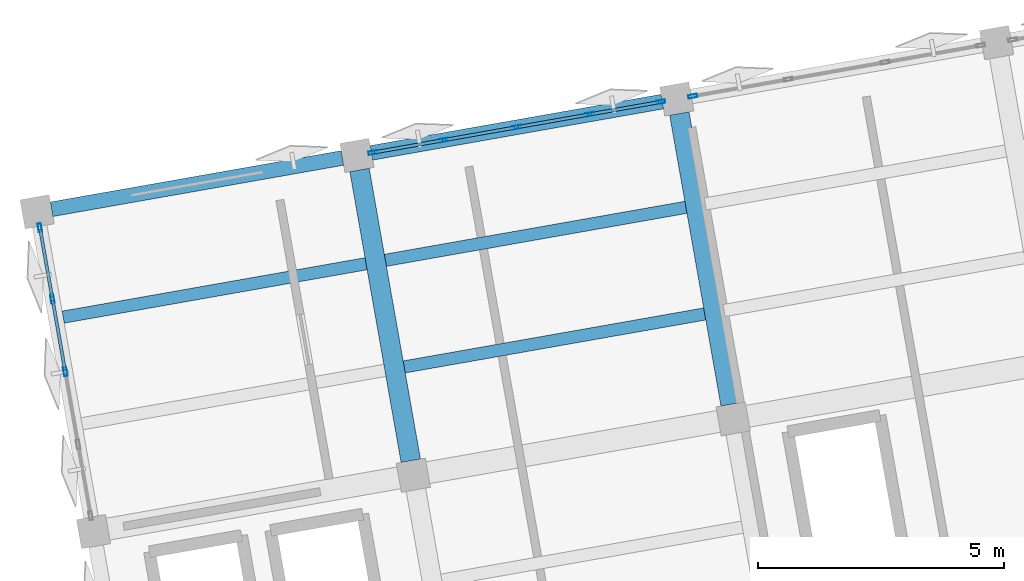
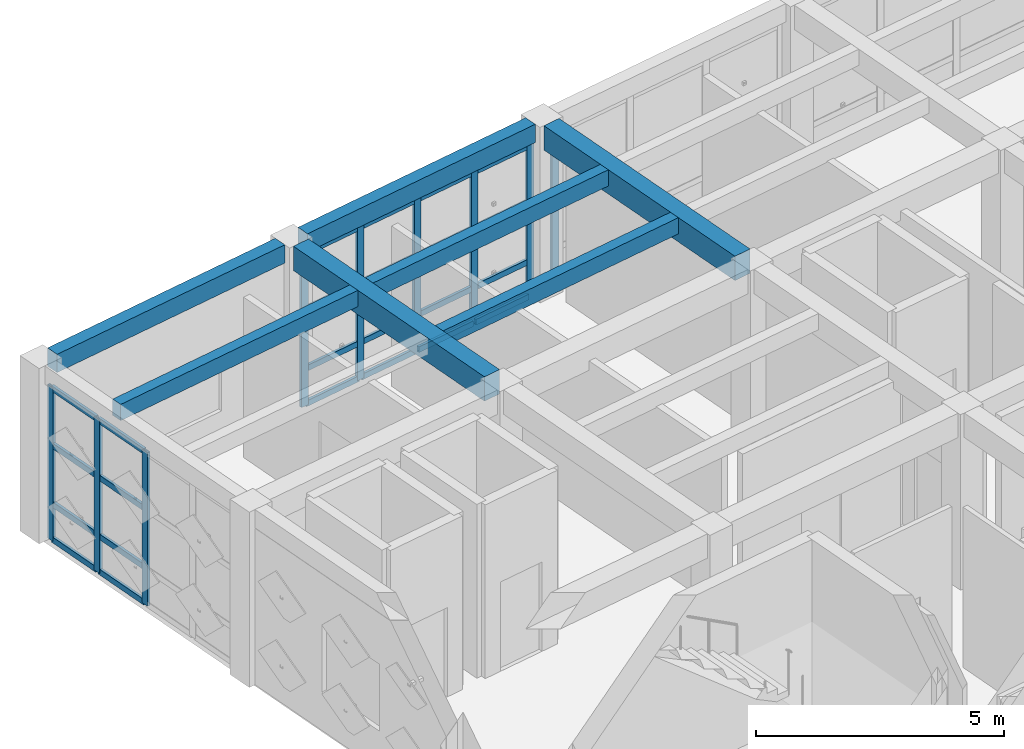
# One storey, part 6 of 36: 33 members, 7 beams, 3 elements without a shape of their own.
"""IFC4 building model written with IfcOpenShell, lengths in metres."""

from ifc_helpers import new_model, si_unit, direction, frame, origin, origin_2d, place, context, subcontext, project, spatial, rectangle, hollow_rectangle, extrude, material, layer, layer_set, material_profile, profile_set, type_object, element, aggregate, save


model = new_model("IFC4")

# Units and contexts
model_context = context("Model", 3, precision=1e-05, world=origin(), true_north=direction((0.0, 1.0)))
body_context = subcontext(model_context, "Body", "Model", "MODEL_VIEW")
ifc_project = project(units=[si_unit("LENGTHUNIT", "METRE"), si_unit("AREAUNIT", "SQUARE_METRE"), si_unit("VOLUMEUNIT", "CUBIC_METRE"), si_unit("PLANEANGLEUNIT", "RADIAN"), si_unit("MASSUNIT", "GRAM", prefix="KILO")], contexts=[model_context])

# Site, building, storey
site_placement = place(None, origin())
site = spatial("IfcSite", under=ifc_project, at=site_placement, CompositionType="ELEMENT")
building_placement = place(site_placement, origin())
building = spatial("IfcBuilding", under=site, at=building_placement, Name="Kharisveld Research Institute", CompositionType="ELEMENT")
storey_placement = place(building_placement, frame((0.0, 0.0, 27.60009765625)))
storey = spatial("IfcBuildingStorey", under=building, at=storey_placement, Name="L06", CompositionType="ELEMENT", Elevation=27.60009765625)

# Beams
ifc_material_1 = material(Name="Concrete C40/50", Category="concrete")
ifc_material_profile_1 = material_profile(ifc_material_1, rectangle(XDim=0.39990234375, YDim=0.60009765625, at=origin_2d()))
ifc_profile_set_1 = profile_set([ifc_material_profile_1], Name="Concrete C40/50")
beam_type_1 = type_object("IfcBeamType", Name="BM_RC_400x600", PredefinedType="BEAM", material=ifc_profile_set_1)
beam_1_placement = place(storey_placement, frame((9.35546875, 49.450927734375, 4.02001953125), z_axis=(-0.173662308598, 0.984805261243, 0.0), x_axis=(-0.984805261243, -0.173662308598, 0.0)))
element("IfcBeam", 1, at=beam_1_placement, inside=storey, type_object=beam_type_1, Name="BM:V1:L06:V1_2", PredefinedType="BEAM", context=body_context, shape_type="SweptSolid", body=[
    extrude(rectangle(XDim=0.39990234375, YDim=0.60009765625, at=origin_2d()), origin(), (0.0, 0.0, 1.0), 6.0),
])
beam_2_placement = place(storey_placement, frame((15.855224609375, 50.59716796875, 4.02001953125), z_axis=(-0.173669267716, 0.984804034035, 0.0), x_axis=(-0.984804034035, -0.173669267716, 0.0)))
element("IfcBeam", 2, at=beam_2_placement, inside=storey, type_object=beam_type_1, Name="BM:V1:L06:V2_2", PredefinedType="BEAM", context=body_context, shape_type="SweptSolid", body=[
    extrude(rectangle(XDim=0.39990234375, YDim=0.60009765625, at=origin_2d()), origin(), (0.0, 0.0, 1.0), 5.999755859375),
])

# Curtain wall, members
ifc_material_2 = material(Name="Thermally Broken Aluminium Curtain Wall", Category="aluminium")
ifc_layer_1 = layer(ifc_material_2, 0.159912109375)
ifc_layer_set_1 = layer_set([ifc_layer_1], Name="CW_SYS_03")
curtain_wall_type_1 = type_object("IfcCurtainWallType", Name="CW_SYS_03", PredefinedType="NOTDEFINED", material=ifc_layer_set_1)
curtain_wall_1_placement = place(storey_placement, origin())
curtain_wall_1 = element("IfcCurtainWall", 3, at=curtain_wall_1_placement, inside=storey, type_object=curtain_wall_type_1, Name="CW:V1:L06:W2", PredefinedType="NOTDEFINED")
ifc_material_3 = material(Name="Anodised Aluminium AW-6063-T6", Category="aluminium")
ifc_material_profile_2 = material_profile(ifc_material_3, hollow_rectangle(XDim=0.070068359375, YDim=0.179931640625, WallThickness=0.00439453125, at=origin_2d()))
ifc_profile_set_2 = profile_set([ifc_material_profile_2], Name="Anodised Aluminium AW-6063-T6")
member_type_1 = type_object("IfcMemberType", Name="CW_MUL_180", PredefinedType="MULLION", material=ifc_profile_set_2)
member_1_placement = place(storey_placement, frame((2.334716796875, 51.25927734375, 0.0), z_axis=(0.0, 0.0, 1.0), x_axis=(-0.98480774719, -0.173648210685, 0.0)))
member_1 = element("IfcMember", 4, at=member_1_placement, type_object=member_type_1, Name="CW-03 mullion 3", PredefinedType="MULLION", context=body_context, shape_type="SweptSolid", body=[
    extrude(hollow_rectangle(XDim=0.070068359375, YDim=0.179931640625, WallThickness=0.00439453125, at=origin_2d()), origin(), (0.0, 0.0, 1.0), 3.77978515625),
])
member_2_placement = place(storey_placement, frame((2.073974609375, 52.739013671875, 0.0), z_axis=(0.0, 0.0, 1.0), x_axis=(-0.98480774719, -0.173648210685, 0.0)))
member_2 = element("IfcMember", 5, at=member_2_placement, type_object=member_type_1, Name="CW-03 mullion 4", PredefinedType="MULLION", context=body_context, shape_type="SweptSolid", body=[
    extrude(hollow_rectangle(XDim=0.070068359375, YDim=0.179931640625, WallThickness=0.00439453125, at=origin_2d()), origin(), (0.0, 0.0, 1.0), 3.77978515625),
])
member_3_placement = place(storey_placement, frame((1.819091796875, 54.184326171875, 0.0), z_axis=(0.0, 0.0, 1.0), x_axis=(-0.98480774719, -0.173648210685, 0.0)))
member_3 = element("IfcMember", 6, at=member_3_placement, type_object=member_type_1, Name="CW-03 mullion 5", PredefinedType="MULLION", context=body_context, shape_type="SweptSolid", body=[
    extrude(hollow_rectangle(XDim=0.070068359375, YDim=0.179931640625, WallThickness=0.00439453125, at=origin_2d()), origin(), (0.0, 0.0, 1.0), 3.77978515625),
])

ifc_material_4 = material(Name="Thermally Broken Aluminium Curtain Wall", Category="aluminium")
ifc_layer_2 = layer(ifc_material_4, 0.159912109375)
ifc_layer_set_2 = layer_set([ifc_layer_2], Name="CW_SYS_04")
curtain_wall_type_2 = type_object("IfcCurtainWallType", Name="CW_SYS_04", PredefinedType="NOTDEFINED", material=ifc_layer_set_2)
curtain_wall_2_placement = place(storey_placement, origin())
curtain_wall_2 = element("IfcCurtainWall", 7, at=curtain_wall_2_placement, inside=storey, type_object=curtain_wall_type_2, Name="CW:V1:L06:N1", PredefinedType="NOTDEFINED")
member_4_placement = place(storey_placement, frame((8.58642578125, 55.712646484375, 0.0), z_axis=(0.0, 0.0, 1.0), x_axis=(-0.173648239132, 0.984807742174, 0.0)))
member_4 = element("IfcMember", 8, at=member_4_placement, type_object=member_type_1, Name="CW-04 mullion 1", PredefinedType="MULLION", context=body_context, shape_type="SweptSolid", body=[
    extrude(hollow_rectangle(XDim=0.070068359375, YDim=0.179931640625, WallThickness=0.00439453125, at=origin_2d()), origin(), (0.0, 0.0, 1.0), 3.77978515625),
])
member_5_placement = place(storey_placement, frame((10.03173828125, 55.96728515625, 0.0), z_axis=(0.0, 0.0, 1.0), x_axis=(-0.173648239132, 0.984807742174, 0.0)))
member_5 = element("IfcMember", 9, at=member_5_placement, type_object=member_type_1, Name="CW-04 mullion 2", PredefinedType="MULLION", context=body_context, shape_type="SweptSolid", body=[
    extrude(hollow_rectangle(XDim=0.070068359375, YDim=0.179931640625, WallThickness=0.00439453125, at=origin_2d()), origin(), (0.0, 0.0, 1.0), 3.77978515625),
])
member_6_placement = place(storey_placement, frame((11.511474609375, 56.228271484375, 0.0), z_axis=(0.0, 0.0, 1.0), x_axis=(-0.173648239132, 0.984807742174, 0.0)))
member_6 = element("IfcMember", 10, at=member_6_placement, type_object=member_type_1, Name="CW-04 mullion 3", PredefinedType="MULLION", context=body_context, shape_type="SweptSolid", body=[
    extrude(hollow_rectangle(XDim=0.070068359375, YDim=0.179931640625, WallThickness=0.00439453125, at=origin_2d()), origin(), (0.0, 0.0, 1.0), 3.77978515625),
])
member_7_placement = place(storey_placement, frame((12.990966796875, 56.4892578125, 0.0), z_axis=(0.0, 0.0, 1.0), x_axis=(-0.173648239132, 0.984807742174, 0.0)))
member_7 = element("IfcMember", 11, at=member_7_placement, type_object=member_type_1, Name="CW-04 mullion 4", PredefinedType="MULLION", context=body_context, shape_type="SweptSolid", body=[
    extrude(hollow_rectangle(XDim=0.070068359375, YDim=0.179931640625, WallThickness=0.00439453125, at=origin_2d()), origin(), (0.0, 0.0, 1.0), 3.77978515625),
])
member_8_placement = place(storey_placement, frame((14.436279296875, 56.744140625, 0.0), z_axis=(0.0, 0.0, 1.0), x_axis=(-0.173648239132, 0.984807742174, 0.0)))
member_8 = element("IfcMember", 12, at=member_8_placement, type_object=member_type_1, Name="CW-04 mullion 5", PredefinedType="MULLION", context=body_context, shape_type="SweptSolid", body=[
    extrude(hollow_rectangle(XDim=0.070068359375, YDim=0.179931640625, WallThickness=0.00439453125, at=origin_2d()), origin(), (0.0, 0.0, 1.0), 3.77978515625),
])

# Curtain wall, member
ifc_material_5 = material(Name="Thermally Broken Aluminium Curtain Wall", Category="aluminium")
ifc_layer_3 = layer(ifc_material_5, 0.159912109375)
ifc_layer_set_3 = layer_set([ifc_layer_3], Name="CW_SYS_05")
curtain_wall_type_3 = type_object("IfcCurtainWallType", Name="CW_SYS_05", PredefinedType="NOTDEFINED", material=ifc_layer_set_3)
curtain_wall_3_placement = place(storey_placement, origin())
curtain_wall_3 = element("IfcCurtainWall", 13, at=curtain_wall_3_placement, inside=storey, type_object=curtain_wall_type_3, Name="CW:V1:L06:N2", PredefinedType="NOTDEFINED")
member_9_placement = place(storey_placement, frame((15.086181640625, 56.858642578125, 0.0), z_axis=(0.0, 0.0, 1.0), x_axis=(-0.173648210685, 0.98480774719, 0.0)))
member_9 = element("IfcMember", 14, at=member_9_placement, type_object=member_type_1, Name="CW-05 mullion 1", PredefinedType="MULLION", context=body_context, shape_type="SweptSolid", body=[
    extrude(hollow_rectangle(XDim=0.070068359375, YDim=0.179931640625, WallThickness=0.00439453125, at=origin_2d()), origin(), (0.0, 0.0, 1.0), 3.77978515625),
])
aggregate(curtain_wall_3, [member_9])

# Member
ifc_material_6 = material(Name="Anodised Aluminium AW-6063-T6", Category="aluminium")
ifc_material_profile_3 = material_profile(ifc_material_6, hollow_rectangle(XDim=0.06494140625, YDim=0.139892578125, WallThickness=0.00390625, at=origin_2d()))
ifc_profile_set_3 = profile_set([ifc_material_profile_3], Name="Anodised Aluminium AW-6063-T6")
member_type_2 = type_object("IfcMemberType", Name="CW_TRN_140", PredefinedType="USERDEFINED", material=ifc_profile_set_3)
member_10_placement = place(storey_placement, frame((2.32861328125, 51.293701171875, 0.032470703125), z_axis=(-0.173483951704, 0.984836696362, 0.0), x_axis=(-0.984836696362, -0.173483951704, 0.0)))
member_10 = element("IfcMember", 15, at=member_10_placement, type_object=member_type_2, Name="CW-03 transom 3.1", ObjectType="TRANSOM", PredefinedType="USERDEFINED", context=body_context, shape_type="SweptSolid", body=[
    extrude(hollow_rectangle(XDim=0.06494140625, YDim=0.139892578125, WallThickness=0.00390625, at=origin_2d()), origin(), (0.0, 0.0, 1.0), 1.4326171875),
])

member_11_placement = place(storey_placement, frame((2.32861328125, 51.293701171875, 0.89990234375), z_axis=(-0.173483951704, 0.984836696362, 0.0), x_axis=(-0.984836696362, -0.173483951704, 0.0)))
member_11 = element("IfcMember", 16, at=member_11_placement, type_object=member_type_2, Name="CW-03 transom 3.2", ObjectType="TRANSOM", PredefinedType="USERDEFINED", context=body_context, shape_type="SweptSolid", body=[
    extrude(hollow_rectangle(XDim=0.06494140625, YDim=0.139892578125, WallThickness=0.00390625, at=origin_2d()), origin(), (0.0, 0.0, 1.0), 1.4326171875),
])

member_12_placement = place(storey_placement, frame((2.32861328125, 51.293701171875, 2.349853515625), z_axis=(-0.173483951704, 0.984836696362, 0.0), x_axis=(-0.984836696362, -0.173483951704, 0.0)))
member_12 = element("IfcMember", 17, at=member_12_placement, type_object=member_type_2, Name="CW-03 transom 3.3", ObjectType="TRANSOM", PredefinedType="USERDEFINED", context=body_context, shape_type="SweptSolid", body=[
    extrude(hollow_rectangle(XDim=0.06494140625, YDim=0.139892578125, WallThickness=0.00390625, at=origin_2d()), origin(), (0.0, 0.0, 1.0), 1.4326171875),
])

member_13_placement = place(storey_placement, frame((2.32861328125, 51.293701171875, 3.747314453125), z_axis=(-0.173483951704, 0.984836696362, 0.0), x_axis=(-0.984836696362, -0.173483951704, 0.0)))
member_13 = element("IfcMember", 18, at=member_13_placement, type_object=member_type_2, Name="CW-03 transom 3.4", ObjectType="TRANSOM", PredefinedType="USERDEFINED", context=body_context, shape_type="SweptSolid", body=[
    extrude(hollow_rectangle(XDim=0.06494140625, YDim=0.139892578125, WallThickness=0.00390625, at=origin_2d()), origin(), (0.0, 0.0, 1.0), 1.4326171875),
])

member_14_placement = place(storey_placement, frame((2.06787109375, 52.7734375, 0.032470703125), z_axis=(-0.173655770047, 0.984806414241, 0.0), x_axis=(-0.984806414241, -0.173655770047, 0.0)))
member_14 = element("IfcMember", 19, at=member_14_placement, type_object=member_type_2, Name="CW-03 transom 4.1", ObjectType="TRANSOM", PredefinedType="USERDEFINED", context=body_context, shape_type="SweptSolid", body=[
    extrude(hollow_rectangle(XDim=0.06494140625, YDim=0.139892578125, WallThickness=0.00390625, at=origin_2d()), origin(), (0.0, 0.0, 1.0), 1.3974609375),
])

member_15_placement = place(storey_placement, frame((2.06787109375, 52.7734375, 0.89990234375), z_axis=(-0.173655770047, 0.984806414241, 0.0), x_axis=(-0.984806414241, -0.173655770047, 0.0)))
member_15 = element("IfcMember", 20, at=member_15_placement, type_object=member_type_2, Name="CW-03 transom 4.2", ObjectType="TRANSOM", PredefinedType="USERDEFINED", context=body_context, shape_type="SweptSolid", body=[
    extrude(hollow_rectangle(XDim=0.06494140625, YDim=0.139892578125, WallThickness=0.00390625, at=origin_2d()), origin(), (0.0, 0.0, 1.0), 1.3974609375),
])

member_16_placement = place(storey_placement, frame((2.06787109375, 52.7734375, 2.349853515625), z_axis=(-0.173655770047, 0.984806414241, 0.0), x_axis=(-0.984806414241, -0.173655770047, 0.0)))
member_16 = element("IfcMember", 21, at=member_16_placement, type_object=member_type_2, Name="CW-03 transom 4.3", ObjectType="TRANSOM", PredefinedType="USERDEFINED", context=body_context, shape_type="SweptSolid", body=[
    extrude(hollow_rectangle(XDim=0.06494140625, YDim=0.139892578125, WallThickness=0.00390625, at=origin_2d()), origin(), (0.0, 0.0, 1.0), 1.3974609375),
])

member_17_placement = place(storey_placement, frame((2.06787109375, 52.7734375, 3.747314453125), z_axis=(-0.173655770047, 0.984806414241, 0.0), x_axis=(-0.984806414241, -0.173655770047, 0.0)))
member_17 = element("IfcMember", 22, at=member_17_placement, type_object=member_type_2, Name="CW-03 transom 4.4", ObjectType="TRANSOM", PredefinedType="USERDEFINED", context=body_context, shape_type="SweptSolid", body=[
    extrude(hollow_rectangle(XDim=0.06494140625, YDim=0.139892578125, WallThickness=0.00390625, at=origin_2d()), origin(), (0.0, 0.0, 1.0), 1.3974609375),
])

aggregate(curtain_wall_1, [member_1, member_2, member_3, member_10, member_11, member_12, member_13, member_14, member_15, member_16, member_17])

member_18_placement = place(storey_placement, frame((8.620849609375, 55.71875, 0.032470703125), z_axis=(0.984811681312, 0.173625897698, 0.0), x_axis=(-0.173625897698, 0.984811681312, 0.0)))
member_18 = element("IfcMember", 23, at=member_18_placement, type_object=member_type_2, Name="CW-04 transom 1.1", ObjectType="TRANSOM", PredefinedType="USERDEFINED", context=body_context, shape_type="SweptSolid", body=[
    extrude(hollow_rectangle(XDim=0.06494140625, YDim=0.139892578125, WallThickness=0.00390625, at=origin_2d()), origin(), (0.0, 0.0, 1.0), 1.397705078125),
])

member_19_placement = place(storey_placement, frame((8.620849609375, 55.71875, 0.89990234375), z_axis=(0.984811681312, 0.173625897698, 0.0), x_axis=(-0.173625897698, 0.984811681312, 0.0)))
member_19 = element("IfcMember", 24, at=member_19_placement, type_object=member_type_2, Name="CW-04 transom 1.2", ObjectType="TRANSOM", PredefinedType="USERDEFINED", context=body_context, shape_type="SweptSolid", body=[
    extrude(hollow_rectangle(XDim=0.06494140625, YDim=0.139892578125, WallThickness=0.00390625, at=origin_2d()), origin(), (0.0, 0.0, 1.0), 1.397705078125),
])

member_20_placement = place(storey_placement, frame((8.620849609375, 55.71875, 2.349853515625), z_axis=(0.984811681312, 0.173625897698, 0.0), x_axis=(-0.173625897698, 0.984811681312, 0.0)))
member_20 = element("IfcMember", 25, at=member_20_placement, type_object=member_type_2, Name="CW-04 transom 1.3", ObjectType="TRANSOM", PredefinedType="USERDEFINED", context=body_context, shape_type="SweptSolid", body=[
    extrude(hollow_rectangle(XDim=0.06494140625, YDim=0.139892578125, WallThickness=0.00390625, at=origin_2d()), origin(), (0.0, 0.0, 1.0), 1.397705078125),
])

member_21_placement = place(storey_placement, frame((8.620849609375, 55.71875, 3.747314453125), z_axis=(0.984811681312, 0.173625897698, 0.0), x_axis=(-0.173625897698, 0.984811681312, 0.0)))
member_21 = element("IfcMember", 26, at=member_21_placement, type_object=member_type_2, Name="CW-04 transom 1.4", ObjectType="TRANSOM", PredefinedType="USERDEFINED", context=body_context, shape_type="SweptSolid", body=[
    extrude(hollow_rectangle(XDim=0.06494140625, YDim=0.139892578125, WallThickness=0.00390625, at=origin_2d()), origin(), (0.0, 0.0, 1.0), 1.397705078125),
])

member_22_placement = place(storey_placement, frame((10.066162109375, 55.973388671875, 0.032470703125), z_axis=(0.98480242724, 0.173678378913, 0.0), x_axis=(-0.173678378913, 0.98480242724, 0.0)))
member_22 = element("IfcMember", 27, at=member_22_placement, type_object=member_type_2, Name="CW-04 transom 2.1", ObjectType="TRANSOM", PredefinedType="USERDEFINED", context=body_context, shape_type="SweptSolid", body=[
    extrude(hollow_rectangle(XDim=0.06494140625, YDim=0.139892578125, WallThickness=0.00390625, at=origin_2d()), origin(), (0.0, 0.0, 1.0), 1.432373046875),
])

member_23_placement = place(storey_placement, frame((10.066162109375, 55.973388671875, 0.89990234375), z_axis=(0.98480242724, 0.173678378913, 0.0), x_axis=(-0.173678378913, 0.98480242724, 0.0)))
member_23 = element("IfcMember", 28, at=member_23_placement, type_object=member_type_2, Name="CW-04 transom 2.2", ObjectType="TRANSOM", PredefinedType="USERDEFINED", context=body_context, shape_type="SweptSolid", body=[
    extrude(hollow_rectangle(XDim=0.06494140625, YDim=0.139892578125, WallThickness=0.00390625, at=origin_2d()), origin(), (0.0, 0.0, 1.0), 1.432373046875),
])

member_24_placement = place(storey_placement, frame((10.066162109375, 55.973388671875, 2.349853515625), z_axis=(0.98480242724, 0.173678378913, 0.0), x_axis=(-0.173678378913, 0.98480242724, 0.0)))
member_24 = element("IfcMember", 29, at=member_24_placement, type_object=member_type_2, Name="CW-04 transom 2.3", ObjectType="TRANSOM", PredefinedType="USERDEFINED", context=body_context, shape_type="SweptSolid", body=[
    extrude(hollow_rectangle(XDim=0.06494140625, YDim=0.139892578125, WallThickness=0.00390625, at=origin_2d()), origin(), (0.0, 0.0, 1.0), 1.432373046875),
])

member_25_placement = place(storey_placement, frame((10.066162109375, 55.973388671875, 3.747314453125), z_axis=(0.98480242724, 0.173678378913, 0.0), x_axis=(-0.173678378913, 0.98480242724, 0.0)))
member_25 = element("IfcMember", 30, at=member_25_placement, type_object=member_type_2, Name="CW-04 transom 2.4", ObjectType="TRANSOM", PredefinedType="USERDEFINED", context=body_context, shape_type="SweptSolid", body=[
    extrude(hollow_rectangle(XDim=0.06494140625, YDim=0.139892578125, WallThickness=0.00390625, at=origin_2d()), origin(), (0.0, 0.0, 1.0), 1.432373046875),
])

member_26_placement = place(storey_placement, frame((11.5458984375, 56.234375, 0.032470703125), z_axis=(0.98480242724, 0.173678378913, 0.0), x_axis=(-0.173678378913, 0.98480242724, 0.0)))
member_26 = element("IfcMember", 31, at=member_26_placement, type_object=member_type_2, Name="CW-04 transom 3.1", ObjectType="TRANSOM", PredefinedType="USERDEFINED", context=body_context, shape_type="SweptSolid", body=[
    extrude(hollow_rectangle(XDim=0.06494140625, YDim=0.139892578125, WallThickness=0.00390625, at=origin_2d()), origin(), (0.0, 0.0, 1.0), 1.432373046875),
])

member_27_placement = place(storey_placement, frame((11.5458984375, 56.234375, 0.89990234375), z_axis=(0.98480242724, 0.173678378913, 0.0), x_axis=(-0.173678378913, 0.98480242724, 0.0)))
member_27 = element("IfcMember", 32, at=member_27_placement, type_object=member_type_2, Name="CW-04 transom 3.2", ObjectType="TRANSOM", PredefinedType="USERDEFINED", context=body_context, shape_type="SweptSolid", body=[
    extrude(hollow_rectangle(XDim=0.06494140625, YDim=0.139892578125, WallThickness=0.00390625, at=origin_2d()), origin(), (0.0, 0.0, 1.0), 1.432373046875),
])

member_28_placement = place(storey_placement, frame((11.5458984375, 56.234375, 2.349853515625), z_axis=(0.98480242724, 0.173678378913, 0.0), x_axis=(-0.173678378913, 0.98480242724, 0.0)))
member_28 = element("IfcMember", 33, at=member_28_placement, type_object=member_type_2, Name="CW-04 transom 3.3", ObjectType="TRANSOM", PredefinedType="USERDEFINED", context=body_context, shape_type="SweptSolid", body=[
    extrude(hollow_rectangle(XDim=0.06494140625, YDim=0.139892578125, WallThickness=0.00390625, at=origin_2d()), origin(), (0.0, 0.0, 1.0), 1.432373046875),
])

member_29_placement = place(storey_placement, frame((11.5458984375, 56.234375, 3.747314453125), z_axis=(0.98480242724, 0.173678378913, 0.0), x_axis=(-0.173678378913, 0.98480242724, 0.0)))
member_29 = element("IfcMember", 34, at=member_29_placement, type_object=member_type_2, Name="CW-04 transom 3.4", ObjectType="TRANSOM", PredefinedType="USERDEFINED", context=body_context, shape_type="SweptSolid", body=[
    extrude(hollow_rectangle(XDim=0.06494140625, YDim=0.139892578125, WallThickness=0.00390625, at=origin_2d()), origin(), (0.0, 0.0, 1.0), 1.432373046875),
])

member_30_placement = place(storey_placement, frame((13.025390625, 56.495361328125, 0.032470703125), z_axis=(0.984811681312, 0.173625897698, 0.0), x_axis=(-0.173625897698, 0.984811681312, 0.0)))
member_30 = element("IfcMember", 35, at=member_30_placement, type_object=member_type_2, Name="CW-04 transom 4.1", ObjectType="TRANSOM", PredefinedType="USERDEFINED", context=body_context, shape_type="SweptSolid", body=[
    extrude(hollow_rectangle(XDim=0.06494140625, YDim=0.139892578125, WallThickness=0.00390625, at=origin_2d()), origin(), (0.0, 0.0, 1.0), 1.397705078125),
])

member_31_placement = place(storey_placement, frame((13.025390625, 56.495361328125, 0.89990234375), z_axis=(0.984811681312, 0.173625897698, 0.0), x_axis=(-0.173625897698, 0.984811681312, 0.0)))
member_31 = element("IfcMember", 36, at=member_31_placement, type_object=member_type_2, Name="CW-04 transom 4.2", ObjectType="TRANSOM", PredefinedType="USERDEFINED", context=body_context, shape_type="SweptSolid", body=[
    extrude(hollow_rectangle(XDim=0.06494140625, YDim=0.139892578125, WallThickness=0.00390625, at=origin_2d()), origin(), (0.0, 0.0, 1.0), 1.397705078125),
])

member_32_placement = place(storey_placement, frame((13.025390625, 56.495361328125, 2.349853515625), z_axis=(0.984811681312, 0.173625897698, 0.0), x_axis=(-0.173625897698, 0.984811681312, 0.0)))
member_32 = element("IfcMember", 37, at=member_32_placement, type_object=member_type_2, Name="CW-04 transom 4.3", ObjectType="TRANSOM", PredefinedType="USERDEFINED", context=body_context, shape_type="SweptSolid", body=[
    extrude(hollow_rectangle(XDim=0.06494140625, YDim=0.139892578125, WallThickness=0.00390625, at=origin_2d()), origin(), (0.0, 0.0, 1.0), 1.397705078125),
])

member_33_placement = place(storey_placement, frame((13.025390625, 56.495361328125, 3.747314453125), z_axis=(0.984811681312, 0.173625897698, 0.0), x_axis=(-0.173625897698, 0.984811681312, 0.0)))
member_33 = element("IfcMember", 38, at=member_33_placement, type_object=member_type_2, Name="CW-04 transom 4.4", ObjectType="TRANSOM", PredefinedType="USERDEFINED", context=body_context, shape_type="SweptSolid", body=[
    extrude(hollow_rectangle(XDim=0.06494140625, YDim=0.139892578125, WallThickness=0.00390625, at=origin_2d()), origin(), (0.0, 0.0, 1.0), 1.397705078125),
])

aggregate(curtain_wall_2, [member_4, member_5, member_6, member_7, member_8, member_18, member_19, member_20, member_21, member_22, member_23, member_24, member_25, member_26, member_27, member_28, member_29, member_30, member_31, member_32, member_33])

# Beams
ifc_material_7 = material(Name="Concrete C40/50", Category="concrete")
ifc_material_profile_4 = material_profile(ifc_material_7, rectangle(XDim=0.300048828125, YDim=0.449951171875, at=origin_2d()))
ifc_profile_set_4 = profile_set([ifc_material_profile_4], Name="Concrete C40/50")
beam_type_2 = type_object("IfcBeamType", Name="SP_RC_300x450", PredefinedType="SPANDREL", material=ifc_profile_set_4)
for number, where, z_axis, x_axis, name in (
    (39, (2.05712890625, 54.561279296875, 4.094970703125), (0.984805261243, 0.173662308598, 0.0), (-0.173662308598, 0.984805261243, 0.0), "BM:V1:L06:U0_3"),
    (40, (8.556884765625, 55.707275390625, 4.094970703125), (0.984805261243, 0.173662308598, 0.0), (-0.173662308598, 0.984805261243, 0.0), "BM:V1:L06:U1_3"),
):
    element("IfcBeam", number, at=place(storey_placement, frame(where, z_axis=z_axis, x_axis=x_axis)), inside=storey, type_object=beam_type_2, Name=name, PredefinedType="SPANDREL", context=body_context, shape_type="SweptSolid", body=[
        extrude(rectangle(XDim=0.300048828125, YDim=0.449951171875, at=origin_2d()), origin(), (0.0, 0.0, 1.0), 6.0),
    ])
ifc_material_8 = material(Name="Concrete C40/50", Category="concrete")
ifc_material_profile_5 = material_profile(ifc_material_8, rectangle(XDim=0.25, YDim=0.39990234375, at=origin_2d()))
ifc_profile_set_5 = profile_set([ifc_material_profile_5], Name="Concrete C40/50")
beam_type_3 = type_object("IfcBeamType", Name="WB_RC_250x400", PredefinedType="JOIST", material=ifc_profile_set_5)
beam_3_placement = place(storey_placement, frame((2.29150390625, 52.36865234375, 4.119873046875), z_axis=(0.984810288083, 0.17363379995, 0.0), x_axis=(-0.17363379995, 0.984810288083, 0.0)))
element("IfcBeam", 41, at=beam_3_placement, inside=storey, type_object=beam_type_3, Name="BM:V1:L06:J_0_2_R2", PredefinedType="JOIST", context=body_context, shape_type="SweptSolid", body=[
    extrude(rectangle(XDim=0.25, YDim=0.39990234375, at=origin_2d()), origin(), (0.0, 0.0, 1.0), 6.25),
])
beam_4_placement = place(storey_placement, frame((9.222412109375, 51.35693359375, 4.119873046875), z_axis=(0.984814067264, 0.173612363957, 0.0), x_axis=(-0.173612363957, 0.984814067264, 0.0)))
element("IfcBeam", 42, at=beam_4_placement, inside=storey, type_object=beam_type_3, Name="BM:V1:L06:J_1_2_R1", PredefinedType="JOIST", context=body_context, shape_type="SweptSolid", body=[
    extrude(rectangle(XDim=0.25, YDim=0.39990234375, at=origin_2d()), origin(), (0.0, 0.0, 1.0), 6.2001953125),
])
beam_5_placement = place(storey_placement, frame((8.840576171875, 53.5234375, 4.119873046875), z_axis=(0.984806146634, 0.173657287643, 0.0), x_axis=(-0.173657287643, 0.984806146634, 0.0)))
element("IfcBeam", 43, at=beam_5_placement, inside=storey, type_object=beam_type_3, Name="BM:V1:L06:J_1_2_R2", PredefinedType="JOIST", context=body_context, shape_type="SweptSolid", body=[
    extrude(rectangle(XDim=0.25, YDim=0.39990234375, at=origin_2d()), origin(), (0.0, 0.0, 1.0), 6.199951171875),
])

save(model, "model.ifc")
